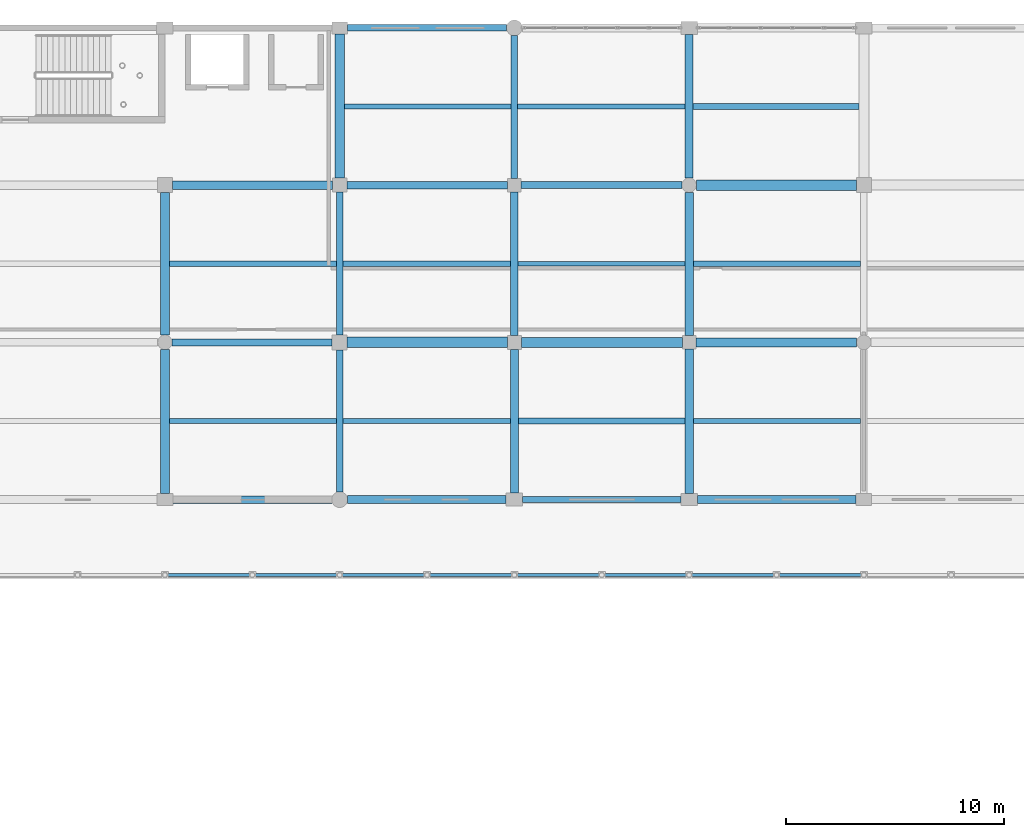
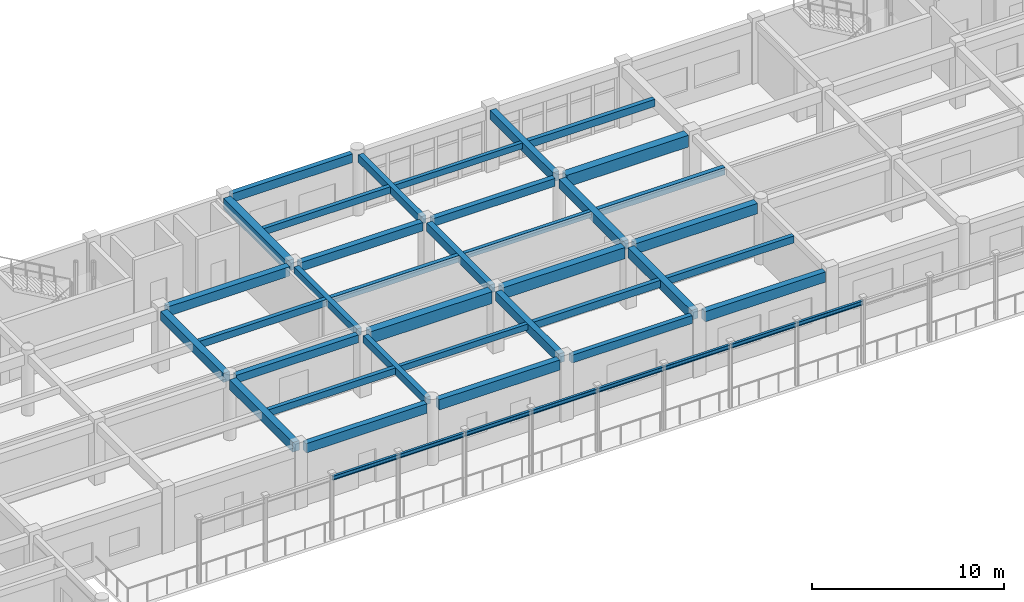
# One storey, part 114 of 195: 39 beams.
"""IFC4 building model written with IfcOpenShell, lengths in metres."""

from ifc_helpers import new_model, si_unit, direction, frame, origin, origin_2d, place, context, subcontext, project, spatial, rectangle, i_section, extrude, material, material_profile, profile_set, type_object, element, save


model = new_model("IFC4")

# Units and contexts
model_context = context("Model", 3, precision=1e-05, world=origin(), true_north=direction((0.0, 1.0)))
body_context = subcontext(model_context, "Body", "Model", "MODEL_VIEW")
ifc_project = project(units=[si_unit("LENGTHUNIT", "METRE"), si_unit("AREAUNIT", "SQUARE_METRE"), si_unit("VOLUMEUNIT", "CUBIC_METRE"), si_unit("PLANEANGLEUNIT", "RADIAN"), si_unit("MASSUNIT", "GRAM", prefix="KILO")], contexts=[model_context])

# Site, building, storey
site_placement = place(None, origin())
site = spatial("IfcSite", under=ifc_project, at=site_placement, CompositionType="ELEMENT")
building_placement = place(site_placement, origin())
building = spatial("IfcBuilding", under=site, at=building_placement, Name="Kharva Crest Polytechnic", CompositionType="ELEMENT")
storey_placement = place(building_placement, frame((0.0, 0.0, 9.0)))
storey = spatial("IfcBuildingStorey", under=building, at=storey_placement, Name="L02", CompositionType="ELEMENT", Elevation=9.0)

# Beams
ifc_material_1 = material(Name="Concrete C35/45", Category="concrete")
ifc_material_profile_1 = material_profile(ifc_material_1, rectangle(XDim=0.300048828125, YDim=0.449951171875, at=origin_2d()), Name="RECT 300 X 450")
ifc_profile_set_1 = profile_set([ifc_material_profile_1], Name="Concrete C35/45")
beam_type_1 = type_object("IfcBeamType", Name="BM-RC-300X450", PredefinedType="BEAM", material=ifc_profile_set_1)
beam_1_placement = place(storey_placement, frame((72.0, 107.93994140625, 3.695068359375), z_axis=(0.0, 1.0, 0.0), x_axis=(-1.0, 0.0, 0.0)))
element("IfcBeam", 1, at=beam_1_placement, inside=storey, type_object=beam_type_1, Name="L02 Girder 10/Q-R", PredefinedType="BEAM", context=body_context, shape_type="SweptSolid", body=[
    extrude(rectangle(XDim=0.300048828125, YDim=0.449951171875, at=origin_2d()), origin(), (0.0, 0.0, 1.0), 6.53515625),
])
ifc_material_profile_2 = material_profile(ifc_material_1, rectangle(XDim=0.300048828125, YDim=0.47998046875, at=origin_2d()), Name="RECT 300 X 480")
ifc_profile_set_2 = profile_set([ifc_material_profile_2], Name="Concrete C35/45")
beam_type_2 = type_object("IfcBeamType", Name="BM-RC-300X480", PredefinedType="BEAM", material=ifc_profile_set_2)
beam_2_placement = place(storey_placement, frame((72.0, 100.760009765625, 3.679931640625), z_axis=(0.0, 1.0, 0.0), x_axis=(-1.0, 0.0, 0.0)))
element("IfcBeam", 2, at=beam_2_placement, inside=storey, type_object=beam_type_2, Name="L02 Girder 10/P-Q", PredefinedType="BEAM", context=body_context, shape_type="SweptSolid", body=[
    extrude(rectangle(XDim=0.300048828125, YDim=0.47998046875, at=origin_2d()), origin(), (0.0, 0.0, 1.0), 6.5),
])
beam_3_placement = place(storey_placement, frame((80.0, 115.110107421875, 3.679931640625), z_axis=(0.0, 1.0, 0.0), x_axis=(-1.0, 0.0, 0.0)))
element("IfcBeam", 3, at=beam_3_placement, inside=storey, type_object=beam_type_2, Name="L02 Girder 11/R-S", PredefinedType="BEAM", context=body_context, shape_type="SweptSolid", body=[
    extrude(rectangle(XDim=0.300048828125, YDim=0.47998046875, at=origin_2d()), origin(), (0.0, 0.0, 1.0), 6.52978515625),
])
ifc_material_profile_3 = material_profile(ifc_material_1, rectangle(XDim=0.320068359375, YDim=0.5, at=origin_2d()), Name="RECT 320 X 500")
ifc_profile_set_3 = profile_set([ifc_material_profile_3], Name="Concrete C35/45")
beam_type_3 = type_object("IfcBeamType", Name="BM-RC-320X500", PredefinedType="BEAM", material=ifc_profile_set_3)
beam_4_placement = place(storey_placement, frame((64.330078125, 107.60009765625, 3.669921875), z_axis=(1.0, 0.0, 0.0), x_axis=(0.0, 1.0, 0.0)))
element("IfcBeam", 4, at=beam_4_placement, inside=storey, type_object=beam_type_3, Name="L02 Beam Q/9-10", PredefinedType="BEAM", context=body_context, shape_type="SweptSolid", body=[
    extrude(rectangle(XDim=0.320068359375, YDim=0.5, at=origin_2d()), origin(), (0.0, 0.0, 1.0), 7.329833984375),
])
beam_5_placement = place(storey_placement, frame((80.31005859375, 114.800048828125, 3.669921875), z_axis=(1.0, 0.0, 0.0), x_axis=(0.0, 1.0, 0.0)))
element("IfcBeam", 5, at=beam_5_placement, inside=storey, type_object=beam_type_3, Name="L02 Beam R/11-12", PredefinedType="BEAM", context=body_context, shape_type="SweptSolid", body=[
    extrude(rectangle(XDim=0.320068359375, YDim=0.5, at=origin_2d()), origin(), (0.0, 0.0, 1.0), 7.35986328125),
])
ifc_material_profile_4 = material_profile(ifc_material_1, rectangle(XDim=0.340087890625, YDim=0.52001953125, at=origin_2d()), Name="RECT 340 X 520")
ifc_profile_set_4 = profile_set([ifc_material_profile_4], Name="Concrete C35/45")
beam_type_4 = type_object("IfcBeamType", Name="BM-RC-340X520", PredefinedType="BEAM", material=ifc_profile_set_4)
beam_6_placement = place(storey_placement, frame((80.0, 107.925048828125, 3.659912109375), z_axis=(0.0, 1.0, 0.0), x_axis=(-1.0, 0.0, 0.0)))
element("IfcBeam", 6, at=beam_6_placement, inside=storey, type_object=beam_type_4, Name="L02 Girder 11/Q-R", PredefinedType="BEAM", context=body_context, shape_type="SweptSolid", body=[
    extrude(rectangle(XDim=0.340087890625, YDim=0.52001953125, at=origin_2d()), origin(), (0.0, 0.0, 1.0), 6.56494140625),
])
ifc_material_profile_5 = material_profile(ifc_material_1, rectangle(XDim=0.35009765625, YDim=0.550048828125, at=origin_2d()), Name="RECT 350 X 550")
ifc_profile_set_5 = profile_set([ifc_material_profile_5], Name="Concrete C35/45")
beam_type_5 = type_object("IfcBeamType", Name="BM-RC-350X550", PredefinedType="BEAM", material=ifc_profile_set_5)
beam_7_placement = place(storey_placement, frame((72.324951171875, 114.800048828125, 3.64501953125), z_axis=(1.0, 0.0, 0.0), x_axis=(0.0, 1.0, 0.0)))
element("IfcBeam", 7, at=beam_7_placement, inside=storey, type_object=beam_type_5, Name="L02 Beam R/10-11", PredefinedType="BEAM", context=body_context, shape_type="SweptSolid", body=[
    extrude(rectangle(XDim=0.35009765625, YDim=0.550048828125, at=origin_2d()), origin(), (0.0, 0.0, 1.0), 7.364990234375),
])
ifc_material_profile_6 = material_profile(ifc_material_1, rectangle(XDim=0.360107421875, YDim=0.580078125, at=origin_2d()), Name="RECT 360 X 580")
ifc_profile_set_6 = profile_set([ifc_material_profile_6], Name="Concrete C35/45")
beam_type_6 = type_object("IfcBeamType", Name="BM-RC-360X580", PredefinedType="BEAM", material=ifc_profile_set_6)
beam_8_placement = place(storey_placement, frame((80.0, 100.699951171875, 3.6298828125), z_axis=(0.0, 1.0, 0.0), x_axis=(-1.0, 0.0, 0.0)))
element("IfcBeam", 8, at=beam_8_placement, inside=storey, type_object=beam_type_6, Name="L02 Girder 11/P-Q", PredefinedType="BEAM", context=body_context, shape_type="SweptSolid", body=[
    extrude(rectangle(XDim=0.360107421875, YDim=0.580078125, at=origin_2d()), origin(), (0.0, 0.0, 1.0), 6.574951171875),
])
beam_9_placement = place(storey_placement, frame((88.0, 115.1298828125, 3.6298828125), z_axis=(0.0, 1.0, 0.0), x_axis=(-1.0, 0.0, 0.0)))
element("IfcBeam", 9, at=beam_9_placement, inside=storey, type_object=beam_type_6, Name="L02 Girder 12/R-S", PredefinedType="BEAM", context=body_context, shape_type="SweptSolid", body=[
    extrude(rectangle(XDim=0.360107421875, YDim=0.580078125, at=origin_2d()), origin(), (0.0, 0.0, 1.0), 6.570068359375),
])
ifc_material_profile_7 = material_profile(ifc_material_1, rectangle(XDim=0.3798828125, YDim=0.60009765625, at=origin_2d()), Name="RECT 380 X 600")
ifc_profile_set_7 = profile_set([ifc_material_profile_7], Name="Concrete C35/45")
beam_type_7 = type_object("IfcBeamType", Name="BM-RC-380X600", PredefinedType="BEAM", material=ifc_profile_set_7)
beam_10_placement = place(storey_placement, frame((64.340087890625, 114.800048828125, 3.6201171875), z_axis=(1.0, 0.0, 0.0), x_axis=(0.0, 1.0, 0.0)))
element("IfcBeam", 10, at=beam_10_placement, inside=storey, type_object=beam_type_7, Name="L02 Beam R/9-10", PredefinedType="BEAM", context=body_context, shape_type="SweptSolid", body=[
    extrude(rectangle(XDim=0.3798828125, YDim=0.60009765625, at=origin_2d()), origin(), (0.0, 0.0, 1.0), 7.3349609375),
])
ifc_material_profile_8 = material_profile(ifc_material_1, rectangle(XDim=0.39990234375, YDim=0.580078125, at=origin_2d()), Name="RECT 400 X 580")
ifc_profile_set_8 = profile_set([ifc_material_profile_8], Name="Concrete C35/45")
beam_type_8 = type_object("IfcBeamType", Name="BM-RC-400X580", PredefinedType="BEAM", material=ifc_profile_set_8)
beam_11_placement = place(storey_placement, frame((64.0, 107.929931640625, 3.6298828125), z_axis=(0.0, 1.0, 0.0), x_axis=(-1.0, 0.0, 0.0)))
element("IfcBeam", 11, at=beam_11_placement, inside=storey, type_object=beam_type_8, Name="L02 Girder 9/Q-R", PredefinedType="BEAM", context=body_context, shape_type="SweptSolid", body=[
    extrude(rectangle(XDim=0.39990234375, YDim=0.580078125, at=origin_2d()), origin(), (0.0, 0.0, 1.0), 6.530029296875),
])
beam_12_placement = place(storey_placement, frame((88.0, 107.909912109375, 3.6298828125), z_axis=(0.0, 1.0, 0.0), x_axis=(-1.0, 0.0, 0.0)))
element("IfcBeam", 12, at=beam_12_placement, inside=storey, type_object=beam_type_8, Name="L02 Girder 12/Q-R", PredefinedType="BEAM", context=body_context, shape_type="SweptSolid", body=[
    extrude(rectangle(XDim=0.39990234375, YDim=0.580078125, at=origin_2d()), origin(), (0.0, 0.0, 1.0), 6.56005859375),
])
ifc_material_profile_9 = material_profile(ifc_material_1, rectangle(XDim=0.39990234375, YDim=0.6201171875, at=origin_2d()), Name="RECT 400 X 620")
ifc_profile_set_9 = profile_set([ifc_material_profile_9], Name="Concrete C35/45")
beam_type_9 = type_object("IfcBeamType", Name="BM-RC-400X620", PredefinedType="BEAM", material=ifc_profile_set_9)
beam_13_placement = place(storey_placement, frame((64.0, 100.675048828125, 3.610107421875), z_axis=(0.0, 1.0, 0.0), x_axis=(-1.0, 0.0, 0.0)))
element("IfcBeam", 13, at=beam_13_placement, inside=storey, type_object=beam_type_9, Name="L02 Girder 9/P-Q", PredefinedType="BEAM", context=body_context, shape_type="SweptSolid", body=[
    extrude(rectangle(XDim=0.39990234375, YDim=0.6201171875, at=origin_2d()), origin(), (0.0, 0.0, 1.0), 6.594970703125),
])
beam_14_placement = place(storey_placement, frame((88.0, 100.675048828125, 3.610107421875), z_axis=(0.0, 1.0, 0.0), x_axis=(-1.0, 0.0, 0.0)))
element("IfcBeam", 14, at=beam_14_placement, inside=storey, type_object=beam_type_9, Name="L02 Girder 12/P-Q", PredefinedType="BEAM", context=body_context, shape_type="SweptSolid", body=[
    extrude(rectangle(XDim=0.39990234375, YDim=0.6201171875, at=origin_2d()), origin(), (0.0, 0.0, 1.0), 6.614990234375),
])
ifc_material_profile_10 = material_profile(ifc_material_1, rectangle(XDim=0.419921875, YDim=0.659912109375, at=origin_2d()), Name="RECT 420 X 660")
ifc_profile_set_10 = profile_set([ifc_material_profile_10], Name="Concrete C35/45")
beam_type_10 = type_object("IfcBeamType", Name="BM-RC-420X660", PredefinedType="BEAM", material=ifc_profile_set_10)
beam_15_placement = place(storey_placement, frame((88.31005859375, 107.60009765625, 3.590087890625), z_axis=(1.0, 0.0, 0.0), x_axis=(0.0, 1.0, 0.0)))
element("IfcBeam", 15, at=beam_15_placement, inside=storey, type_object=beam_type_10, Name="L02 Beam Q/12-13", PredefinedType="BEAM", context=body_context, shape_type="SweptSolid", body=[
    extrude(rectangle(XDim=0.419921875, YDim=0.659912109375, at=origin_2d()), origin(), (0.0, 0.0, 1.0), 7.35986328125),
])
ifc_material_profile_11 = material_profile(ifc_material_1, rectangle(XDim=0.449951171875, YDim=0.679931640625, at=origin_2d()), Name="RECT 450 X 680")
ifc_profile_set_11 = profile_set([ifc_material_profile_11], Name="Concrete C35/45")
beam_type_11 = type_object("IfcBeamType", Name="BM-RC-450X680", PredefinedType="BEAM", material=ifc_profile_set_11)
beam_16_placement = place(storey_placement, frame((72.0, 115.125, 3.580078125), z_axis=(0.0, 1.0, 0.0), x_axis=(-1.0, 0.0, 0.0)))
element("IfcBeam", 16, at=beam_16_placement, inside=storey, type_object=beam_type_11, Name="L02 Girder 10/R-S", PredefinedType="BEAM", context=body_context, shape_type="SweptSolid", body=[
    extrude(rectangle(XDim=0.449951171875, YDim=0.679931640625, at=origin_2d()), origin(), (0.0, 0.0, 1.0), 6.60009765625),
])
ifc_material_profile_12 = material_profile(ifc_material_1, rectangle(XDim=0.449951171875, YDim=0.719970703125, at=origin_2d()), Name="RECT 450 X 720")
ifc_profile_set_12 = profile_set([ifc_material_profile_12], Name="Concrete C35/45")
beam_type_12 = type_object("IfcBeamType", Name="BM-RC-450X720", PredefinedType="BEAM", material=ifc_profile_set_12)
beam_17_placement = place(storey_placement, frame((80.324951171875, 107.60009765625, 3.56005859375), z_axis=(1.0, 0.0, 0.0), x_axis=(0.0, 1.0, 0.0)))
element("IfcBeam", 17, at=beam_17_placement, inside=storey, type_object=beam_type_12, Name="L02 Beam Q/11-12", PredefinedType="BEAM", context=body_context, shape_type="SweptSolid", body=[
    extrude(rectangle(XDim=0.449951171875, YDim=0.719970703125, at=origin_2d()), origin(), (0.0, 0.0, 1.0), 7.364990234375),
])
ifc_material_profile_13 = material_profile(ifc_material_1, rectangle(XDim=0.47998046875, YDim=0.75, at=origin_2d()), Name="RECT 480 X 750")
ifc_profile_set_13 = profile_set([ifc_material_profile_13], Name="Concrete C35/45")
beam_type_13 = type_object("IfcBeamType", Name="BM-RC-480X750", PredefinedType="BEAM", material=ifc_profile_set_13)
beam_18_placement = place(storey_placement, frame((72.340087890625, 107.60009765625, 3.544921875), z_axis=(1.0, 0.0, 0.0), x_axis=(0.0, 1.0, 0.0)))
element("IfcBeam", 18, at=beam_18_placement, inside=storey, type_object=beam_type_13, Name="L02 Beam Q/10-11", PredefinedType="BEAM", context=body_context, shape_type="SweptSolid", body=[
    extrude(rectangle(XDim=0.47998046875, YDim=0.75, at=origin_2d()), origin(), (0.0, 0.0, 1.0), 7.3349609375),
])
beam_19_placement = place(storey_placement, frame((88.330078125, 114.800048828125, 3.544921875), z_axis=(1.0, 0.0, 0.0), x_axis=(0.0, 1.0, 0.0)))
element("IfcBeam", 19, at=beam_19_placement, inside=storey, type_object=beam_type_13, Name="L02 Beam R/12-13", PredefinedType="BEAM", context=body_context, shape_type="SweptSolid", body=[
    extrude(rectangle(XDim=0.47998046875, YDim=0.75, at=origin_2d()), origin(), (0.0, 0.0, 1.0), 7.329833984375),
])
ifc_material_2 = material(Name="Steel S355", Category="steel")
ifc_material_profile_14 = material_profile(ifc_material_2, i_section(OverallWidth=0.14794921875, OverallDepth=0.26611328125, WebThickness=0.007568359375, FlangeThickness=0.012939453125, at=origin_2d()), Name="W250X44.8")
ifc_profile_set_14 = profile_set([ifc_material_profile_14], Name="Steel S355")
beam_type_14 = type_object("IfcBeamType", Name="BM-STL-W250X44", PredefinedType="SPANDREL", material=ifc_profile_set_14)
for number, where, z_axis, x_axis, name in (
    (20, (64.02001953125, 96.949951171875, 3.85693359375), (1.0, 0.0, 0.0), (0.0, 1.0, 0.0), "L02 North Veranda Beam 2"),
    (21, (72.02001953125, 96.949951171875, 3.85693359375), (1.0, 0.0, 0.0), (0.0, 1.0, 0.0), "L02 North Veranda Beam 3"),
    (22, (80.02001953125, 96.949951171875, 3.85693359375), (1.0, 0.0, 0.0), (0.0, 1.0, 0.0), "L02 North Veranda Beam 4"),
    (23, (88.02001953125, 96.949951171875, 3.85693359375), (1.0, 0.0, 0.0), (0.0, 1.0, 0.0), "L02 North Veranda Beam 5"),
):
    element("IfcBeam", number, at=place(storey_placement, frame(where, z_axis=z_axis, x_axis=x_axis)), inside=storey, type_object=beam_type_14, Name=name, PredefinedType="SPANDREL", context=body_context, shape_type="SweptSolid", body=[
        extrude(i_section(OverallWidth=0.14794921875, OverallDepth=0.26611328125, WebThickness=0.007568359375, FlangeThickness=0.012939453125, at=origin_2d()), origin(), (0.0, 0.0, 1.0), 7.9599609375),
    ])
ifc_material_profile_15 = material_profile(ifc_material_1, rectangle(XDim=0.219970703125, YDim=0.3798828125, at=origin_2d()), Name="RECT 220 X 380")
ifc_profile_set_15 = profile_set([ifc_material_profile_15], Name="Concrete C35/45")
beam_type_15 = type_object("IfcBeamType", Name="JS-RC-220X380", PredefinedType="JOIST", material=ifc_profile_set_15)
beam_20_placement = place(storey_placement, frame((72.14990234375, 104.0, 3.72998046875), z_axis=(1.0, 0.0, 0.0), x_axis=(0.0, 1.0, 0.0)))
element("IfcBeam", 24, at=beam_20_placement, inside=storey, type_object=beam_type_15, Name="L02 Floor Joist 20", PredefinedType="JOIST", context=body_context, shape_type="SweptSolid", body=[
    extrude(rectangle(XDim=0.219970703125, YDim=0.3798828125, at=origin_2d()), origin(), (0.0, 0.0, 1.0), 7.670166015625),
])
beam_21_placement = place(storey_placement, frame((80.169921875, 111.199951171875, 3.72998046875), z_axis=(1.0, 0.0, 0.0), x_axis=(0.0, 1.0, 0.0)))
element("IfcBeam", 25, at=beam_21_placement, inside=storey, type_object=beam_type_15, Name="L02 Floor Joist 40", PredefinedType="JOIST", context=body_context, shape_type="SweptSolid", body=[
    extrude(rectangle(XDim=0.219970703125, YDim=0.3798828125, at=origin_2d()), origin(), (0.0, 0.0, 1.0), 7.630126953125),
])
beam_22_placement = place(storey_placement, frame((80.14990234375, 118.39990234375, 3.72998046875), z_axis=(1.0, 0.0, 0.0), x_axis=(0.0, 1.0, 0.0)))
element("IfcBeam", 26, at=beam_22_placement, inside=storey, type_object=beam_type_15, Name="L02 Floor Joist 56", PredefinedType="JOIST", context=body_context, shape_type="SweptSolid", body=[
    extrude(rectangle(XDim=0.219970703125, YDim=0.3798828125, at=origin_2d()), origin(), (0.0, 0.0, 1.0), 7.670166015625),
])
ifc_material_profile_16 = material_profile(ifc_material_1, rectangle(XDim=0.239990234375, YDim=0.419921875, at=origin_2d()), Name="RECT 240 X 420")
ifc_profile_set_16 = profile_set([ifc_material_profile_16], Name="Concrete C35/45")
beam_type_16 = type_object("IfcBeamType", Name="JS-RC-240X420", PredefinedType="JOIST", material=ifc_profile_set_16)
beam_23_placement = place(storey_placement, frame((64.199951171875, 104.0, 3.7099609375), z_axis=(1.0, 0.0, 0.0), x_axis=(0.0, 1.0, 0.0)))
element("IfcBeam", 27, at=beam_23_placement, inside=storey, type_object=beam_type_16, Name="L02 Floor Joist 19", PredefinedType="JOIST", context=body_context, shape_type="SweptSolid", body=[
    extrude(rectangle(XDim=0.239990234375, YDim=0.419921875, at=origin_2d()), origin(), (0.0, 0.0, 1.0), 7.650146484375),
])
beam_24_placement = place(storey_placement, frame((72.14990234375, 111.199951171875, 3.7099609375), z_axis=(1.0, 0.0, 0.0), x_axis=(0.0, 1.0, 0.0)))
element("IfcBeam", 28, at=beam_24_placement, inside=storey, type_object=beam_type_16, Name="L02 Floor Joist 39", PredefinedType="JOIST", context=body_context, shape_type="SweptSolid", body=[
    extrude(rectangle(XDim=0.239990234375, YDim=0.419921875, at=origin_2d()), origin(), (0.0, 0.0, 1.0), 7.68017578125),
])
beam_25_placement = place(storey_placement, frame((72.22509765625, 118.39990234375, 3.7099609375), z_axis=(1.0, 0.0, 0.0), x_axis=(0.0, 1.0, 0.0)))
element("IfcBeam", 29, at=beam_25_placement, inside=storey, type_object=beam_type_16, Name="L02 Floor Joist 55", PredefinedType="JOIST", context=body_context, shape_type="SweptSolid", body=[
    extrude(rectangle(XDim=0.239990234375, YDim=0.419921875, at=origin_2d()), origin(), (0.0, 0.0, 1.0), 7.625),
])
ifc_material_profile_17 = material_profile(ifc_material_1, rectangle(XDim=0.25, YDim=0.43994140625, at=origin_2d()), Name="RECT 250 X 440")
ifc_profile_set_17 = profile_set([ifc_material_profile_17], Name="Concrete C35/45")
beam_type_17 = type_object("IfcBeamType", Name="JS-RC-250X440", PredefinedType="JOIST", material=ifc_profile_set_17)
for number, where, z_axis, x_axis, name in (
    (30, (88.199951171875, 104.0, 3.699951171875), (1.0, 0.0, 0.0), (0.0, 1.0, 0.0), "L02 Floor Joist 22"),
    (31, (64.199951171875, 111.199951171875, 3.699951171875), (1.0, 0.0, 0.0), (0.0, 1.0, 0.0), "L02 Floor Joist 38"),
):
    element("IfcBeam", number, at=place(storey_placement, frame(where, z_axis=z_axis, x_axis=x_axis)), inside=storey, type_object=beam_type_17, Name=name, PredefinedType="JOIST", context=body_context, shape_type="SweptSolid", body=[
        extrude(rectangle(XDim=0.25, YDim=0.43994140625, at=origin_2d()), origin(), (0.0, 0.0, 1.0), 7.650146484375),
    ])
ifc_material_profile_18 = material_profile(ifc_material_1, rectangle(XDim=0.260009765625, YDim=0.4599609375, at=origin_2d()), Name="RECT 260 X 460")
ifc_profile_set_18 = profile_set([ifc_material_profile_18], Name="Concrete C35/45")
beam_type_18 = type_object("IfcBeamType", Name="JS-RC-260X460", PredefinedType="JOIST", material=ifc_profile_set_18)
beam_26_placement = place(storey_placement, frame((80.179931640625, 104.0, 3.68994140625), z_axis=(1.0, 0.0, 0.0), x_axis=(0.0, 1.0, 0.0)))
element("IfcBeam", 32, at=beam_26_placement, inside=storey, type_object=beam_type_18, Name="L02 Floor Joist 21", PredefinedType="JOIST", context=body_context, shape_type="SweptSolid", body=[
    extrude(rectangle(XDim=0.260009765625, YDim=0.4599609375, at=origin_2d()), origin(), (0.0, 0.0, 1.0), 7.6201171875),
])
beam_27_placement = place(storey_placement, frame((88.199951171875, 111.199951171875, 3.68994140625), z_axis=(1.0, 0.0, 0.0), x_axis=(0.0, 1.0, 0.0)))
element("IfcBeam", 33, at=beam_27_placement, inside=storey, type_object=beam_type_18, Name="L02 Floor Joist 41", PredefinedType="JOIST", context=body_context, shape_type="SweptSolid", body=[
    extrude(rectangle(XDim=0.260009765625, YDim=0.4599609375, at=origin_2d()), origin(), (0.0, 0.0, 1.0), 7.650146484375),
])
beam_28_placement = place(storey_placement, frame((88.179931640625, 118.39990234375, 3.68994140625), z_axis=(1.0, 0.0, 0.0), x_axis=(0.0, 1.0, 0.0)))
element("IfcBeam", 34, at=beam_28_placement, inside=storey, type_object=beam_type_18, Name="L02 Floor Joist 57", PredefinedType="JOIST", context=body_context, shape_type="SweptSolid", body=[
    extrude(rectangle(XDim=0.260009765625, YDim=0.4599609375, at=origin_2d()), origin(), (0.0, 0.0, 1.0), 7.594970703125),
])
ifc_material_profile_19 = material_profile(ifc_material_1, rectangle(XDim=0.280029296875, YDim=0.5, at=origin_2d()), Name="RECT 280 X 500")
ifc_profile_set_19 = profile_set([ifc_material_profile_19], Name="Concrete C35/45")
beam_type_19 = type_object("IfcBeamType", Name="SP-RC-280X500", PredefinedType="SPANDREL", material=ifc_profile_set_19)
beam_29_placement = place(storey_placement, frame((80.375, 100.39990234375, 3.669921875), z_axis=(1.0, 0.0, 0.0), x_axis=(0.0, 1.0, 0.0)))
element("IfcBeam", 35, at=beam_29_placement, inside=storey, type_object=beam_type_19, Name="L02 Beam P/11-12", PredefinedType="SPANDREL", context=body_context, shape_type="SweptSolid", body=[
    extrude(rectangle(XDim=0.280029296875, YDim=0.5, at=origin_2d()), origin(), (0.0, 0.0, 1.0), 7.25),
])
ifc_material_profile_20 = material_profile(ifc_material_1, rectangle(XDim=0.300048828125, YDim=0.550048828125, at=origin_2d()), Name="RECT 300 X 550")
ifc_profile_set_20 = profile_set([ifc_material_profile_20], Name="Concrete C35/45")
beam_type_20 = type_object("IfcBeamType", Name="SP-RC-300X550", PredefinedType="SPANDREL", material=ifc_profile_set_20)
beam_30_placement = place(storey_placement, frame((72.360107421875, 122.0, 3.64501953125), z_axis=(1.0, 0.0, 0.0), x_axis=(0.0, 1.0, 0.0)))
element("IfcBeam", 36, at=beam_30_placement, inside=storey, type_object=beam_type_20, Name="L02 Beam S/10-11", PredefinedType="SPANDREL", context=body_context, shape_type="SweptSolid", body=[
    extrude(rectangle(XDim=0.300048828125, YDim=0.550048828125, at=origin_2d()), origin(), (0.0, 0.0, 1.0), 7.27978515625),
])
ifc_material_profile_21 = material_profile(ifc_material_1, rectangle(XDim=0.340087890625, YDim=0.60009765625, at=origin_2d()), Name="RECT 340 X 600")
ifc_profile_set_21 = profile_set([ifc_material_profile_21], Name="Concrete C35/45")
beam_type_21 = type_object("IfcBeamType", Name="SP-RC-340X600", PredefinedType="SPANDREL", material=ifc_profile_set_21)
beam_31_placement = place(storey_placement, frame((64.360107421875, 100.39990234375, 3.6201171875), z_axis=(1.0, 0.0, 0.0), x_axis=(0.0, 1.0, 0.0)))
element("IfcBeam", 37, at=beam_31_placement, inside=storey, type_object=beam_type_21, Name="L02 Beam P/9-10", PredefinedType="SPANDREL", context=body_context, shape_type="SweptSolid", body=[
    extrude(rectangle(XDim=0.340087890625, YDim=0.60009765625, at=origin_2d()), origin(), (0.0, 0.0, 1.0), 7.27978515625),
])
ifc_material_profile_22 = material_profile(ifc_material_1, rectangle(XDim=0.360107421875, YDim=0.64990234375, at=origin_2d()), Name="RECT 360 X 650")
ifc_profile_set_22 = profile_set([ifc_material_profile_22], Name="Concrete C35/45")
beam_type_22 = type_object("IfcBeamType", Name="SP-RC-360X650", PredefinedType="SPANDREL", material=ifc_profile_set_22)
for number, where, z_axis, x_axis, name in (
    (38, (72.360107421875, 100.39990234375, 3.594970703125), (1.0, 0.0, 0.0), (0.0, 1.0, 0.0), "L02 Beam P/10-11"),
    (39, (88.375, 100.39990234375, 3.594970703125), (1.0, 0.0, 0.0), (0.0, 1.0, 0.0), "L02 Beam P/12-13"),
):
    element("IfcBeam", number, at=place(storey_placement, frame(where, z_axis=z_axis, x_axis=x_axis)), inside=storey, type_object=beam_type_22, Name=name, PredefinedType="SPANDREL", context=body_context, shape_type="SweptSolid", body=[
        extrude(rectangle(XDim=0.360107421875, YDim=0.64990234375, at=origin_2d()), origin(), (0.0, 0.0, 1.0), 7.264892578125),
    ])

save(model, "model.ifc")
